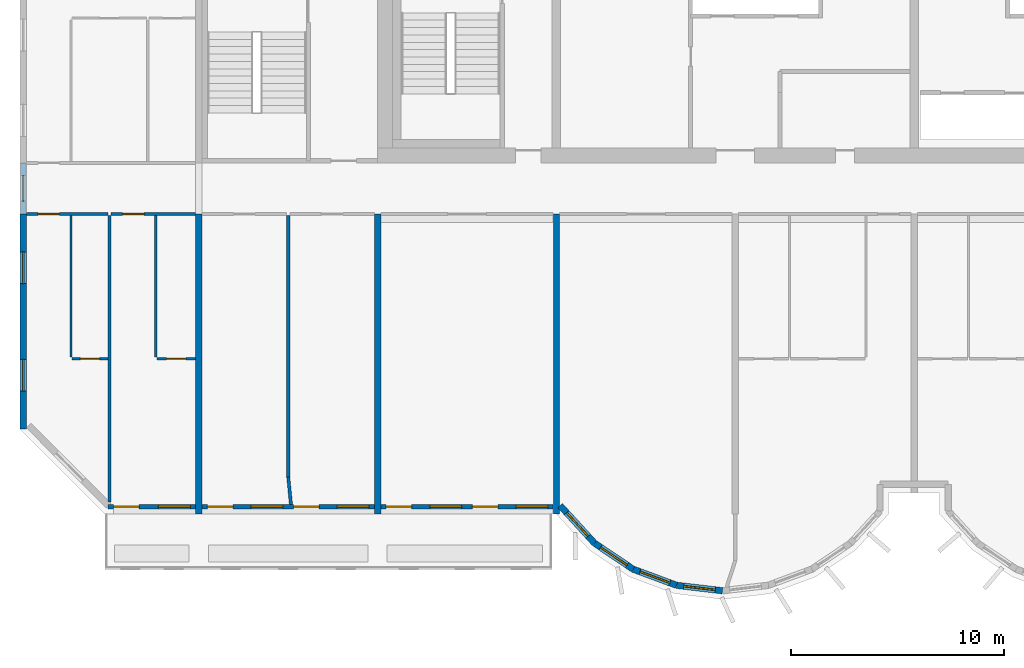
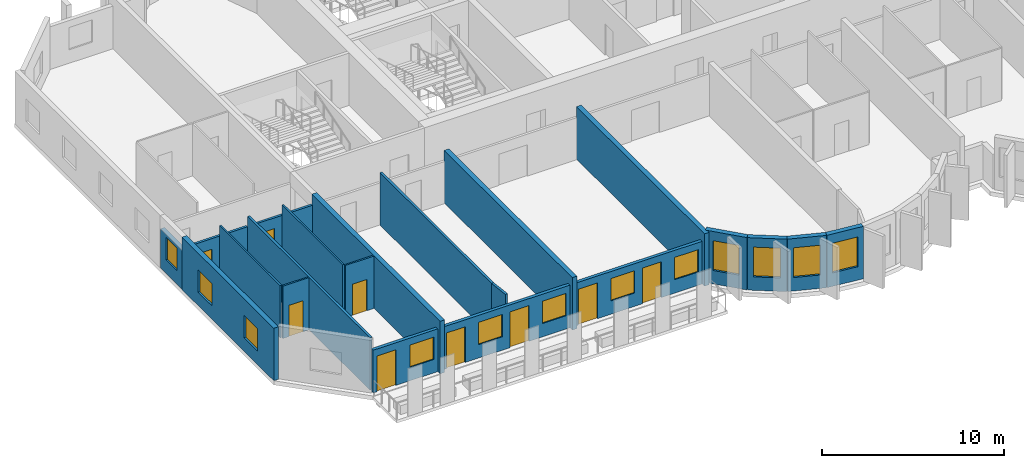
# One storey, part 2 of 13: 21 walls, 12 windows, 9 doors, 21 openings.
"""IFC4 building model written with IfcOpenShell, lengths in metres."""

from ifc_helpers import new_model, si_unit, direction, frame, frame_2d, origin, place, context, subcontext, project, spatial, rectangle, extrude, source, transform, mapped, material, layer, layer_set, type_object, element, fill, save


model = new_model("IFC4")

# Units and contexts
model_context = context("Model", 3, precision=1e-05, world=origin(), true_north=direction((0.0, 1.0)))
body_context = subcontext(model_context, "Body", "Model", "MODEL_VIEW")
ifc_project = project(units=[si_unit("LENGTHUNIT", "METRE"), si_unit("AREAUNIT", "SQUARE_METRE"), si_unit("VOLUMEUNIT", "CUBIC_METRE"), si_unit("PLANEANGLEUNIT", "RADIAN"), si_unit("MASSUNIT", "GRAM", prefix="KILO")], contexts=[model_context])

# Site, building, storey
site_placement = place(None, origin())
site = spatial("IfcSite", under=ifc_project, at=site_placement, CompositionType="ELEMENT")
building_placement = place(site_placement, origin())
building = spatial("IfcBuilding", under=site, at=building_placement, Name="Vanashikhar Sky Hotel", CompositionType="ELEMENT")
storey_placement = place(building_placement, frame((0.0, 0.0, 197.199951171875)))
storey = spatial("IfcBuildingStorey", under=building, at=storey_placement, Name="L48", CompositionType="ELEMENT", Elevation=197.199951171875)

# Wall, openings, windows
ifc_material_1 = material(Name="Concrete M60", Category="concrete")
ifc_layer_1 = layer(ifc_material_1, 0.300048828125)
ifc_layer_set_1 = layer_set([ifc_layer_1], Name="RC shear wall 300 Concrete M60")
wall_type_1 = type_object("IfcWallType", Name="RC shear wall 300 Concrete M60", PredefinedType="SHEAR", material=ifc_layer_set_1)
shared_shape_1 = source(origin(), body_context, "Body", "SweptSolid", [
    extrude(rectangle(XDim=10.10009765625, YDim=0.300048828125, at=frame_2d((5.050048828125, 0.0))), origin(), (0.0, 0.0, 1.0), 3.52001953125),
])
wall_1_placement = place(storey_placement, frame((8.550048828125, 9.5, 0.0), z_axis=(0.0, 0.0, 1.0), x_axis=(0.0, 1.0, 0.0)))
wall_1 = element("IfcWall", 1, at=wall_1_placement, inside=storey, type_object=wall_type_1, Name="CW-L48-XW02-1", PredefinedType="SHEAR", context=body_context, shape_type="MappedRepresentation", body=[
    mapped(shared_shape_1, transform((0.0, 0.0, 0.0), scale=1.0)),
])
shared_shape_2 = source(origin(), body_context, "Body", "SweptSolid", [
    extrude(rectangle(XDim=1.5, YDim=1.5, at=frame_2d((0.75, 0.75))), frame((0.0, 0.16015625, 0.0), z_axis=(0.0, -1.0, 0.0), x_axis=(1.0, 0.0, 0.0)), (0.0, 0.0, 1.0), 0.320068359375),
])
opening_1_placement = place(wall_1_placement, frame((1.77490234375, 0.0, 0.89990234375)))
opening_1 = element("IfcOpeningElement", 2, at=opening_1_placement, cuts=wall_1, Name="Opening WN-1", PredefinedType="OPENING", context=body_context, shape_type="MappedRepresentation", body=[
    mapped(shared_shape_2, transform((0.0, 0.0, 0.0), scale=1.0)),
])
opening_2_placement = place(wall_1_placement, frame((6.824951171875, 0.0, 0.89990234375)))
opening_2 = element("IfcOpeningElement", 3, at=opening_2_placement, cuts=wall_1, Name="Opening WN-1", PredefinedType="OPENING", context=body_context, shape_type="MappedRepresentation", body=[
    mapped(shared_shape_2, transform((0.0, 0.0, 0.0), scale=1.0)),
])
ifc_material_2 = material(Name="Glass", Category="glass")
window_type_1 = type_object("IfcWindowType", Name="Window 1500 x 1500", PartitioningType="SINGLE_PANEL", PredefinedType="WINDOW", material=ifc_material_2)
shared_shape_3 = source(origin(), body_context, "Body", "SweptSolid", [
    extrude(rectangle(XDim=1.5, YDim=1.5, at=frame_2d((0.75, 0.75))), frame((0.0, 0.030029296875, 0.0), z_axis=(0.0, -1.0, 0.0), x_axis=(1.0, 0.0, 0.0)), (0.0, 0.0, 1.0), 0.06005859375),
])
window_1_placement = place(opening_1_placement, origin())
window_1 = element("IfcWindow", 4, at=window_1_placement, inside=storey, type_object=window_type_1, Name="Window WN-1", OverallHeight=1.5, OverallWidth=1.5, PartitioningType="SINGLE_PANEL", PredefinedType="WINDOW", context=body_context, shape_type="MappedRepresentation", body=[
    mapped(shared_shape_3, transform((0.0, 0.0, 0.0), scale=1.0)),
])
fill(opening_1, window_1)
window_2_placement = place(opening_2_placement, origin())
window_2 = element("IfcWindow", 5, at=window_2_placement, inside=storey, type_object=window_type_1, Name="Window WN-1", OverallHeight=1.5, OverallWidth=1.5, PartitioningType="SINGLE_PANEL", PredefinedType="WINDOW", context=body_context, shape_type="MappedRepresentation", body=[
    mapped(shared_shape_3, transform((0.0, 0.0, 0.0), scale=1.0)),
])
fill(opening_2, window_2)

# Walls
shared_shape_4 = source(origin(), body_context, "Body", "SweptSolid", [
    extrude(rectangle(XDim=14.10009765625, YDim=0.300048828125, at=frame_2d((7.050048828125, 0.0))), origin(), (0.0, 0.0, 1.0), 3.52001953125),
])
for number, where, z_axis, x_axis, name in (
    (6, (16.800048828125, 5.5, 0.0), (0.0, 0.0, 1.0), (0.0, 1.0, 0.0), "CW-L48-XW03-1"),
    (7, (25.199951171875, 5.5, 0.0), (0.0, 0.0, 1.0), (0.0, 1.0, 0.0), "CW-L48-XW04-1"),
    (8, (33.60009765625, 5.5, 0.0), (0.0, 0.0, 1.0), (0.0, 1.0, 0.0), "CW-L48-XW05-1"),
):
    element("IfcWall", number, at=place(storey_placement, frame(where, z_axis=z_axis, x_axis=x_axis)), inside=storey, type_object=wall_type_1, Name=name, PredefinedType="SHEAR", context=body_context, shape_type="MappedRepresentation", body=[
        mapped(shared_shape_4, transform((0.0, 0.0, 0.0), scale=1.0)),
    ])

# Wall, opening, window
ifc_material_3 = material(Name="Concrete M50", Category="concrete")
ifc_layer_2 = layer(ifc_material_3, 0.300048828125)
ifc_layer_set_2 = layer_set([ifc_layer_2], Name="Lobe wall 300")
wall_type_2 = type_object("IfcWallType", Name="Lobe wall 300", PredefinedType="SOLIDWALL", material=ifc_layer_set_2)
shared_shape_5 = source(origin(), body_context, "Body", "SweptSolid", [
    extrude(rectangle(XDim=2.398193359375, YDim=0.300048828125, at=frame_2d((1.19921875, 0.0))), origin(), (0.0, 0.0, 1.0), 3.52001953125),
])
wall_2_placement = place(storey_placement, frame((33.776123046875, 5.89990234375, 0.0), z_axis=(0.0, 0.0, 1.0), x_axis=(0.675374189419, -0.737475222815, 0.0)))
wall_2 = element("IfcWall", 9, at=wall_2_placement, inside=storey, type_object=wall_type_2, Name="Lobe wall", PredefinedType="SOLIDWALL", context=body_context, shape_type="MappedRepresentation", body=[
    mapped(shared_shape_5, transform((0.0, 0.0, 0.0), scale=1.0)),
])
shared_shape_6 = source(origin(), body_context, "Body", "SweptSolid", [
    extrude(rectangle(XDim=1.5, YDim=2.0, at=frame_2d((0.75, 1.0))), frame((0.0, 0.16015625, 0.0), z_axis=(0.0, -1.0, 0.0), x_axis=(1.0, 0.0, 0.0)), (0.0, 0.0, 1.0), 0.320068359375),
])
opening_3_placement = place(wall_2_placement, frame((0.44921875, 0.0, 0.89990234375)))
opening_3 = element("IfcOpeningElement", 10, at=opening_3_placement, cuts=wall_2, Name="Opening WN-2", PredefinedType="OPENING", context=body_context, shape_type="MappedRepresentation", body=[
    mapped(shared_shape_6, transform((0.0, 0.0, 0.0), scale=1.0)),
])
window_type_2 = type_object("IfcWindowType", Name="Lobe window 1500 x 2000", PartitioningType="SINGLE_PANEL", PredefinedType="WINDOW", material=ifc_material_2)
shared_shape_7 = source(origin(), body_context, "Body", "SweptSolid", [
    extrude(rectangle(XDim=1.5, YDim=2.0, at=frame_2d((0.75, 1.0))), frame((0.0, 0.030029296875, 0.0), z_axis=(0.0, -1.0, 0.0), x_axis=(1.0, 0.0, 0.0)), (0.0, 0.0, 1.0), 0.06005859375),
])
window_3_placement = place(opening_3_placement, origin())
window_3 = element("IfcWindow", 11, at=window_3_placement, inside=storey, type_object=window_type_2, Name="Window WN-2", OverallHeight=2.0, OverallWidth=1.5, PartitioningType="SINGLE_PANEL", PredefinedType="WINDOW", context=body_context, shape_type="MappedRepresentation", body=[
    mapped(shared_shape_7, transform((0.0, 0.0, 0.0), scale=1.0)),
])
fill(opening_3, window_3)

shared_shape_8 = source(origin(), body_context, "Body", "SweptSolid", [
    extrude(rectangle(XDim=2.17578125, YDim=0.300048828125, at=frame_2d((1.087890625, 0.0))), origin(), (0.0, 0.0, 1.0), 3.52001953125),
])
wall_3_placement = place(storey_placement, frame((35.395751953125, 4.13134765625, 0.0), z_axis=(0.0, 0.0, 1.0), x_axis=(0.829590746428, -0.558371913192, 0.0)))
wall_3 = element("IfcWall", 12, at=wall_3_placement, inside=storey, type_object=wall_type_2, Name="Lobe wall", PredefinedType="SOLIDWALL", context=body_context, shape_type="MappedRepresentation", body=[
    mapped(shared_shape_8, transform((0.0, 0.0, 0.0), scale=1.0)),
])
opening_4_placement = place(wall_3_placement, frame((0.337890625, 0.0, 0.89990234375)))
opening_4 = element("IfcOpeningElement", 13, at=opening_4_placement, cuts=wall_3, Name="Opening WN-2", PredefinedType="OPENING", context=body_context, shape_type="MappedRepresentation", body=[
    mapped(shared_shape_6, transform((0.0, 0.0, 0.0), scale=1.0)),
])
window_4_placement = place(opening_4_placement, origin())
window_4 = element("IfcWindow", 14, at=window_4_placement, inside=storey, type_object=window_type_2, Name="Window WN-2", OverallHeight=2.0, OverallWidth=1.5, PartitioningType="SINGLE_PANEL", PredefinedType="WINDOW", context=body_context, shape_type="MappedRepresentation", body=[
    mapped(shared_shape_7, transform((0.0, 0.0, 0.0), scale=1.0)),
])
fill(opening_4, window_4)

wall_4_placement = place(storey_placement, frame((37.20068359375, 2.91650390625, 0.0), z_axis=(0.0, 0.0, 1.0), x_axis=(0.93754555999, -0.347862505801, 0.0)))
wall_4 = element("IfcWall", 15, at=wall_4_placement, inside=storey, type_object=wall_type_2, Name="Lobe wall", PredefinedType="SOLIDWALL", context=body_context, shape_type="MappedRepresentation", body=[
    mapped(shared_shape_8, transform((0.0, 0.0, 0.0), scale=1.0)),
])
opening_5_placement = place(wall_4_placement, frame((0.337890625, 0.0, 0.89990234375)))
opening_5 = element("IfcOpeningElement", 16, at=opening_5_placement, cuts=wall_4, Name="Opening WN-2", PredefinedType="OPENING", context=body_context, shape_type="MappedRepresentation", body=[
    mapped(shared_shape_6, transform((0.0, 0.0, 0.0), scale=1.0)),
])
window_5_placement = place(opening_5_placement, origin())
window_5 = element("IfcWindow", 17, at=window_5_placement, inside=storey, type_object=window_type_2, Name="Window WN-2", OverallHeight=2.0, OverallWidth=1.5, PartitioningType="SINGLE_PANEL", PredefinedType="WINDOW", context=body_context, shape_type="MappedRepresentation", body=[
    mapped(shared_shape_7, transform((0.0, 0.0, 0.0), scale=1.0)),
])
fill(opening_5, window_5)

shared_shape_9 = source(origin(), body_context, "Body", "SweptSolid", [
    extrude(rectangle(XDim=2.174560546875, YDim=0.300048828125, at=frame_2d((1.08740234375, 0.0))), origin(), (0.0, 0.0, 1.0), 3.52001953125),
])
wall_5_placement = place(storey_placement, frame((39.240478515625, 2.15966796875, 0.0), z_axis=(0.0, 0.0, 1.0), x_axis=(0.993001132889, -0.118104826659, 0.0)))
wall_5 = element("IfcWall", 18, at=wall_5_placement, inside=storey, type_object=wall_type_2, Name="Lobe wall", PredefinedType="SOLIDWALL", context=body_context, shape_type="MappedRepresentation", body=[
    mapped(shared_shape_9, transform((0.0, 0.0, 0.0), scale=1.0)),
])
opening_6_placement = place(wall_5_placement, frame((0.33740234375, 0.0, 0.89990234375)))
opening_6 = element("IfcOpeningElement", 19, at=opening_6_placement, cuts=wall_5, Name="Opening WN-2", PredefinedType="OPENING", context=body_context, shape_type="MappedRepresentation", body=[
    mapped(shared_shape_6, transform((0.0, 0.0, 0.0), scale=1.0)),
])
window_6_placement = place(opening_6_placement, origin())
window_6 = element("IfcWindow", 20, at=window_6_placement, inside=storey, type_object=window_type_2, Name="Window WN-2", OverallHeight=2.0, OverallWidth=1.5, PartitioningType="SINGLE_PANEL", PredefinedType="WINDOW", context=body_context, shape_type="MappedRepresentation", body=[
    mapped(shared_shape_7, transform((0.0, 0.0, 0.0), scale=1.0)),
])
fill(opening_6, window_6)

ifc_layer_3 = layer(ifc_material_3, 0.25)
ifc_layer_set_3 = layer_set([ifc_layer_3], Name="Rear and end board-marked wall 250")
wall_type_3 = type_object("IfcWallType", Name="Rear and end board-marked wall 250", PredefinedType="SOLIDWALL", material=ifc_layer_set_3)
shared_shape_10 = source(origin(), body_context, "Body", "SweptSolid", [
    extrude(rectangle(XDim=2.39990234375, YDim=0.25, at=frame_2d((1.199951171875, 0.0))), origin(), (0.0, 0.0, 1.0), 2.6201171875),
])
wall_6_placement = place(storey_placement, frame((8.550048828125, 19.60009765625, 0.0), z_axis=(0.0, 0.0, 1.0), x_axis=(0.0, 1.0, 0.0)))
wall_6 = element("IfcWall", 21, at=wall_6_placement, inside=storey, type_object=wall_type_3, Name="End corridor infill wall", PredefinedType="SOLIDWALL", context=body_context, shape_type="MappedRepresentation", body=[
    mapped(shared_shape_10, transform((0.0, 0.0, 0.0), scale=1.0)),
])
shared_shape_11 = source(origin(), body_context, "Body", "SweptSolid", [
    extrude(rectangle(XDim=1.199951171875, YDim=1.5, at=frame_2d((0.60009765625, 0.75))), frame((0.0, 0.135009765625, 0.0), z_axis=(0.0, -1.0, 0.0), x_axis=(1.0, 0.0, 0.0)), (0.0, 0.0, 1.0), 0.27001953125),
])
opening_7_placement = place(wall_6_placement, frame((0.60009765625, 0.0, 0.89990234375)))
opening_7 = element("IfcOpeningElement", 22, at=opening_7_placement, cuts=wall_6, Name="Opening WN-3", PredefinedType="OPENING", context=body_context, shape_type="MappedRepresentation", body=[
    mapped(shared_shape_11, transform((0.0, 0.0, 0.0), scale=1.0)),
])
window_type_3 = type_object("IfcWindowType", Name="Corridor end window 1200 x 1500", PartitioningType="SINGLE_PANEL", PredefinedType="WINDOW", material=ifc_material_2)
shared_shape_12 = source(origin(), body_context, "Body", "SweptSolid", [
    extrude(rectangle(XDim=1.199951171875, YDim=1.5, at=frame_2d((0.60009765625, 0.75))), frame((0.0, 0.030029296875, 0.0), z_axis=(0.0, -1.0, 0.0), x_axis=(1.0, 0.0, 0.0)), (0.0, 0.0, 1.0), 0.06005859375),
])
window_7_placement = place(opening_7_placement, origin())
window_7 = element("IfcWindow", 23, at=window_7_placement, inside=storey, type_object=window_type_3, Name="Window WN-3", OverallHeight=1.5, OverallWidth=1.199951171875, PartitioningType="SINGLE_PANEL", PredefinedType="WINDOW", context=body_context, shape_type="MappedRepresentation", body=[
    mapped(shared_shape_12, transform((0.0, 0.0, 0.0), scale=1.0)),
])
fill(opening_7, window_7)

# Wall, openings, window, door
ifc_layer_4 = layer(ifc_material_3, 0.199951171875)
ifc_layer_set_4 = layer_set([ifc_layer_4], Name="Front window wall 200")
wall_type_4 = type_object("IfcWallType", Name="Front window wall 200", PredefinedType="SOLIDWALL", material=ifc_layer_set_4)
shared_shape_13 = source(origin(), body_context, "Body", "SweptSolid", [
    extrude(rectangle(XDim=4.10498046875, YDim=0.199951171875, at=frame_2d((2.052490234375, 0.0))), origin(), (0.0, 0.0, 1.0), 2.8701171875),
])
wall_7_placement = place(storey_placement, frame((12.544921875, 5.85009765625, 0.0), z_axis=(0.0, 0.0, 1.0), x_axis=(1.0, 0.0, 0.0)))
wall_7 = element("IfcWall", 24, at=wall_7_placement, inside=storey, type_object=wall_type_4, Name="Front window wall", PredefinedType="SOLIDWALL", context=body_context, shape_type="MappedRepresentation", body=[
    mapped(shared_shape_13, transform((0.0, 0.0, 0.0), scale=1.0)),
])
shared_shape_14 = source(origin(), body_context, "Body", "SweptSolid", [
    extrude(rectangle(XDim=1.199951171875, YDim=2.39990234375, at=frame_2d((0.60009765625, 1.199951171875))), frame((0.0, 0.10986328125, 0.0), z_axis=(0.0, -1.0, 0.0), x_axis=(1.0, 0.0, 0.0)), (0.0, 0.0, 1.0), 0.219970703125),
])
opening_8_placement = place(wall_7_placement, frame((0.25, 0.0, 0.0)))
opening_8 = element("IfcOpeningElement", 25, at=opening_8_placement, cuts=wall_7, Name="Opening BD-01", PredefinedType="OPENING", context=body_context, shape_type="MappedRepresentation", body=[
    mapped(shared_shape_14, transform((0.0, 0.0, 0.0), scale=1.0)),
])
shared_shape_15 = source(origin(), body_context, "Body", "SweptSolid", [
    extrude(rectangle(XDim=1.5, YDim=1.5, at=frame_2d((0.75, 0.75))), frame((0.0, 0.10986328125, 0.0), z_axis=(0.0, -1.0, 0.0), x_axis=(1.0, 0.0, 0.0)), (0.0, 0.0, 1.0), 0.219970703125),
])
opening_9_placement = place(wall_7_placement, frame((2.35498046875, 0.0, 0.89990234375)))
opening_9 = element("IfcOpeningElement", 26, at=opening_9_placement, cuts=wall_7, Name="Opening WN-1", PredefinedType="OPENING", context=body_context, shape_type="MappedRepresentation", body=[
    mapped(shared_shape_15, transform((0.0, 0.0, 0.0), scale=1.0)),
])
window_8_placement = place(opening_9_placement, origin())
window_8 = element("IfcWindow", 27, at=window_8_placement, inside=storey, type_object=window_type_1, Name="Window WN-1", OverallHeight=1.5, OverallWidth=1.5, PartitioningType="SINGLE_PANEL", PredefinedType="WINDOW", context=body_context, shape_type="MappedRepresentation", body=[
    mapped(shared_shape_3, transform((0.0, 0.0, 0.0), scale=1.0)),
])
fill(opening_9, window_8)
ifc_material_4 = material(Name="Aluminium", Category="aluminium")
door_type_1 = type_object("IfcDoorType", Name="Balcony sliding door 1200 x 2400", OperationType="NOTDEFINED", PredefinedType="DOOR", material=ifc_material_4)
shared_shape_16 = source(origin(), body_context, "Body", "SweptSolid", [
    extrude(rectangle(XDim=1.199951171875, YDim=2.39990234375, at=frame_2d((0.60009765625, 1.199951171875))), frame((0.0, 0.02490234375, 0.0), z_axis=(0.0, -1.0, 0.0), x_axis=(1.0, 0.0, 0.0)), (0.0, 0.0, 1.0), 0.050048828125),
])
door_1_placement = place(opening_8_placement, origin())
door_1 = element("IfcDoor", 28, at=door_1_placement, inside=storey, type_object=door_type_1, Name="Balcony sliding door", OperationType="SLIDING_TO_LEFT", OverallHeight=2.39990234375, OverallWidth=1.199951171875, PredefinedType="DOOR", context=body_context, shape_type="MappedRepresentation", body=[
    mapped(shared_shape_16, transform((0.0, 0.0, 0.0), scale=1.0)),
])
fill(opening_8, door_1)

# Wall, openings, windows, doors
shared_shape_17 = source(origin(), body_context, "Body", "SweptSolid", [
    extrude(rectangle(XDim=8.10009765625, YDim=0.199951171875, at=frame_2d((4.050048828125, 0.0))), origin(), (0.0, 0.0, 1.0), 2.8701171875),
])
wall_8_placement = place(storey_placement, frame((16.949951171875, 5.85009765625, 0.0), z_axis=(0.0, 0.0, 1.0), x_axis=(1.0, 0.0, 0.0)))
wall_8 = element("IfcWall", 29, at=wall_8_placement, inside=storey, type_object=wall_type_4, Name="Front window wall", PredefinedType="SOLIDWALL", context=body_context, shape_type="MappedRepresentation", body=[
    mapped(shared_shape_17, transform((0.0, 0.0, 0.0), scale=1.0)),
])
opening_10_placement = place(wall_8_placement, frame((0.25, 0.0, 0.0)))
opening_10 = element("IfcOpeningElement", 30, at=opening_10_placement, cuts=wall_8, Name="Opening BD-02", PredefinedType="OPENING", context=body_context, shape_type="MappedRepresentation", body=[
    mapped(shared_shape_14, transform((0.0, 0.0, 0.0), scale=1.0)),
])
opening_11_placement = place(wall_8_placement, frame((2.300048828125, 0.0, 0.89990234375)))
opening_11 = element("IfcOpeningElement", 31, at=opening_11_placement, cuts=wall_8, Name="Opening WN-1", PredefinedType="OPENING", context=body_context, shape_type="MappedRepresentation", body=[
    mapped(shared_shape_15, transform((0.0, 0.0, 0.0), scale=1.0)),
])
opening_12_placement = place(wall_8_placement, frame((4.300048828125, 0.0, 0.0)))
opening_12 = element("IfcOpeningElement", 32, at=opening_12_placement, cuts=wall_8, Name="Opening BD-03", PredefinedType="OPENING", context=body_context, shape_type="MappedRepresentation", body=[
    mapped(shared_shape_14, transform((0.0, 0.0, 0.0), scale=1.0)),
])
opening_13_placement = place(wall_8_placement, frame((6.35009765625, 0.0, 0.89990234375)))
opening_13 = element("IfcOpeningElement", 33, at=opening_13_placement, cuts=wall_8, Name="Opening WN-1", PredefinedType="OPENING", context=body_context, shape_type="MappedRepresentation", body=[
    mapped(shared_shape_15, transform((0.0, 0.0, 0.0), scale=1.0)),
])
window_9_placement = place(opening_11_placement, origin())
window_9 = element("IfcWindow", 34, at=window_9_placement, inside=storey, type_object=window_type_1, Name="Window WN-1", OverallHeight=1.5, OverallWidth=1.5, PartitioningType="SINGLE_PANEL", PredefinedType="WINDOW", context=body_context, shape_type="MappedRepresentation", body=[
    mapped(shared_shape_3, transform((0.0, 0.0, 0.0), scale=1.0)),
])
fill(opening_11, window_9)
window_10_placement = place(opening_13_placement, origin())
window_10 = element("IfcWindow", 35, at=window_10_placement, inside=storey, type_object=window_type_1, Name="Window WN-1", OverallHeight=1.5, OverallWidth=1.5, PartitioningType="SINGLE_PANEL", PredefinedType="WINDOW", context=body_context, shape_type="MappedRepresentation", body=[
    mapped(shared_shape_3, transform((0.0, 0.0, 0.0), scale=1.0)),
])
fill(opening_13, window_10)
door_2_placement = place(opening_10_placement, origin())
door_2 = element("IfcDoor", 36, at=door_2_placement, inside=storey, type_object=door_type_1, Name="Balcony sliding door", OperationType="SLIDING_TO_RIGHT", OverallHeight=2.39990234375, OverallWidth=1.199951171875, PredefinedType="DOOR", context=body_context, shape_type="MappedRepresentation", body=[
    mapped(shared_shape_16, transform((0.0, 0.0, 0.0), scale=1.0)),
])
fill(opening_10, door_2)
door_3_placement = place(opening_12_placement, origin())
door_3 = element("IfcDoor", 37, at=door_3_placement, inside=storey, type_object=door_type_1, Name="Balcony sliding door", OperationType="SLIDING_TO_LEFT", OverallHeight=2.39990234375, OverallWidth=1.199951171875, PredefinedType="DOOR", context=body_context, shape_type="MappedRepresentation", body=[
    mapped(shared_shape_16, transform((0.0, 0.0, 0.0), scale=1.0)),
])
fill(opening_12, door_3)

shared_shape_18 = source(origin(), body_context, "Body", "SweptSolid", [
    extrude(rectangle(XDim=8.099853515625, YDim=0.199951171875, at=frame_2d((4.0498046875, 0.0))), origin(), (0.0, 0.0, 1.0), 2.8701171875),
])
wall_9_placement = place(storey_placement, frame((25.35009765625, 5.85009765625, 0.0), z_axis=(0.0, 0.0, 1.0), x_axis=(1.0, 0.0, 0.0)))
wall_9 = element("IfcWall", 38, at=wall_9_placement, inside=storey, type_object=wall_type_4, Name="Front window wall", PredefinedType="SOLIDWALL", context=body_context, shape_type="MappedRepresentation", body=[
    mapped(shared_shape_18, transform((0.0, 0.0, 0.0), scale=1.0)),
])
opening_14_placement = place(wall_9_placement, frame((0.25, 0.0, 0.0)))
opening_14 = element("IfcOpeningElement", 39, at=opening_14_placement, cuts=wall_9, Name="Opening BD-04", PredefinedType="OPENING", context=body_context, shape_type="MappedRepresentation", body=[
    mapped(shared_shape_14, transform((0.0, 0.0, 0.0), scale=1.0)),
])
opening_15_placement = place(wall_9_placement, frame((2.300048828125, 0.0, 0.89990234375)))
opening_15 = element("IfcOpeningElement", 40, at=opening_15_placement, cuts=wall_9, Name="Opening WN-1", PredefinedType="OPENING", context=body_context, shape_type="MappedRepresentation", body=[
    mapped(shared_shape_15, transform((0.0, 0.0, 0.0), scale=1.0)),
])
opening_16_placement = place(wall_9_placement, frame((4.300048828125, 0.0, 0.0)))
opening_16 = element("IfcOpeningElement", 41, at=opening_16_placement, cuts=wall_9, Name="Opening BD-05", PredefinedType="OPENING", context=body_context, shape_type="MappedRepresentation", body=[
    mapped(shared_shape_14, transform((0.0, 0.0, 0.0), scale=1.0)),
])
opening_17_placement = place(wall_9_placement, frame((6.35009765625, 0.0, 0.89990234375)))
opening_17 = element("IfcOpeningElement", 42, at=opening_17_placement, cuts=wall_9, Name="Opening WN-1", PredefinedType="OPENING", context=body_context, shape_type="MappedRepresentation", body=[
    mapped(shared_shape_15, transform((0.0, 0.0, 0.0), scale=1.0)),
])
window_11_placement = place(opening_15_placement, origin())
window_11 = element("IfcWindow", 43, at=window_11_placement, inside=storey, type_object=window_type_1, Name="Window WN-1", OverallHeight=1.5, OverallWidth=1.5, PartitioningType="SINGLE_PANEL", PredefinedType="WINDOW", context=body_context, shape_type="MappedRepresentation", body=[
    mapped(shared_shape_3, transform((0.0, 0.0, 0.0), scale=1.0)),
])
fill(opening_15, window_11)
window_12_placement = place(opening_17_placement, origin())
window_12 = element("IfcWindow", 44, at=window_12_placement, inside=storey, type_object=window_type_1, Name="Window WN-1", OverallHeight=1.5, OverallWidth=1.5, PartitioningType="SINGLE_PANEL", PredefinedType="WINDOW", context=body_context, shape_type="MappedRepresentation", body=[
    mapped(shared_shape_3, transform((0.0, 0.0, 0.0), scale=1.0)),
])
fill(opening_17, window_12)
door_4_placement = place(opening_14_placement, origin())
door_4 = element("IfcDoor", 45, at=door_4_placement, inside=storey, type_object=door_type_1, Name="Balcony sliding door", OperationType="SLIDING_TO_RIGHT", OverallHeight=2.39990234375, OverallWidth=1.199951171875, PredefinedType="DOOR", context=body_context, shape_type="MappedRepresentation", body=[
    mapped(shared_shape_16, transform((0.0, 0.0, 0.0), scale=1.0)),
])
fill(opening_14, door_4)
door_5_placement = place(opening_16_placement, origin())
door_5 = element("IfcDoor", 46, at=door_5_placement, inside=storey, type_object=door_type_1, Name="Balcony sliding door", OperationType="SLIDING_TO_LEFT", OverallHeight=2.39990234375, OverallWidth=1.199951171875, PredefinedType="DOOR", context=body_context, shape_type="MappedRepresentation", body=[
    mapped(shared_shape_16, transform((0.0, 0.0, 0.0), scale=1.0)),
])
fill(opening_16, door_5)

# Wall, opening, door
ifc_material_5 = material(Name="Gypsum plasterboard partition")
ifc_layer_5 = layer(ifc_material_5, 0.10009765625)
ifc_layer_set_5 = layer_set([ifc_layer_5], Name="Wet room partition 100")
wall_type_5 = type_object("IfcWallType", Name="Wet room partition 100", PredefinedType="PARTITIONING", material=ifc_layer_set_5)
shared_shape_19 = source(origin(), body_context, "Body", "SweptSolid", [
    extrude(rectangle(XDim=1.824951171875, YDim=0.10009765625, at=frame_2d((0.91259765625, 0.0))), origin(), (0.0, 0.0, 1.0), 3.52001953125),
])
wall_10_placement = place(storey_placement, frame((14.824951171875, 12.800048828125, 0.0), z_axis=(0.0, 0.0, 1.0), x_axis=(1.0, 0.0, 0.0)))
wall_10 = element("IfcWall", 47, at=wall_10_placement, inside=storey, type_object=wall_type_5, Name="W-L48-PW005", PredefinedType="PARTITIONING", context=body_context, shape_type="MappedRepresentation", body=[
    mapped(shared_shape_19, transform((0.0, 0.0, 0.0), scale=1.0)),
])
shared_shape_20 = source(origin(), body_context, "Body", "SweptSolid", [
    extrude(rectangle(XDim=0.89990234375, YDim=2.10009765625, at=frame_2d((0.449951171875, 1.050048828125))), frame((0.0, 0.06005859375, 0.0), z_axis=(0.0, -1.0, 0.0), x_axis=(1.0, 0.0, 0.0)), (0.0, 0.0, 1.0), 0.1201171875),
])
opening_18_placement = place(wall_10_placement, frame((0.462890625, 0.0, 0.0)))
opening_18 = element("IfcOpeningElement", 48, at=opening_18_placement, cuts=wall_10, Name="Opening D-02", PredefinedType="OPENING", context=body_context, shape_type="MappedRepresentation", body=[
    mapped(shared_shape_20, transform((0.0, 0.0, 0.0), scale=1.0)),
])
ifc_material_6 = material(Name="Timber door", Category="wood")
door_type_2 = type_object("IfcDoorType", Name="Internal door 900", OperationType="NOTDEFINED", PredefinedType="DOOR", material=ifc_material_6)
shared_shape_21 = source(origin(), body_context, "Body", "SweptSolid", [
    extrude(rectangle(XDim=0.89990234375, YDim=2.10009765625, at=frame_2d((0.449951171875, 1.050048828125))), frame((0.0, 0.02490234375, 0.0), z_axis=(0.0, -1.0, 0.0), x_axis=(1.0, 0.0, 0.0)), (0.0, 0.0, 1.0), 0.050048828125),
])
door_6_placement = place(opening_18_placement, origin())
door_6 = element("IfcDoor", 49, at=door_6_placement, inside=storey, type_object=door_type_2, Name="D-L48-003", OperationType="SINGLE_SWING_LEFT", OverallHeight=2.10009765625, OverallWidth=0.89990234375, PredefinedType="DOOR", context=body_context, shape_type="MappedRepresentation", body=[
    mapped(shared_shape_21, transform((0.0, 0.0, 0.0), scale=1.0)),
])
fill(opening_18, door_6)

# Walls
shared_shape_22 = source(origin(), body_context, "Body", "SweptSolid", [
    extrude(rectangle(XDim=6.64990234375, YDim=0.10009765625, at=frame_2d((3.324951171875, 0.0))), origin(), (0.0, 0.0, 1.0), 3.52001953125),
])
for number, where, z_axis, x_axis, name in (
    (50, (10.800048828125, 12.875, 0.0), (0.0, 0.0, 1.0), (0.0, 1.0, 0.0), "W-L48-PW001"),
    (51, (14.77490234375, 12.875, 0.0), (0.0, 0.0, 1.0), (0.0, 1.0, 0.0), "W-L48-PW004"),
):
    element("IfcWall", number, at=place(storey_placement, frame(where, z_axis=z_axis, x_axis=x_axis)), inside=storey, type_object=wall_type_5, Name=name, PredefinedType="PARTITIONING", context=body_context, shape_type="MappedRepresentation", body=[
        mapped(shared_shape_22, transform((0.0, 0.0, 0.0), scale=1.0)),
    ])
ifc_layer_6 = layer(ifc_material_5, 0.14990234375)
ifc_layer_set_6 = layer_set([ifc_layer_6], Name="Corridor and demising partition 150")
wall_type_6 = type_object("IfcWallType", Name="Corridor and demising partition 150", PredefinedType="PARTITIONING", material=ifc_layer_set_6)
shared_shape_23 = source(origin(), body_context, "Body", "SweptSolid", [
    extrude(rectangle(XDim=13.447021484375, YDim=0.14990234375, at=frame_2d((6.7236328125, 0.0))), origin(), (0.0, 0.0, 1.0), 3.52001953125),
])
wall_11_placement = place(storey_placement, frame((12.60009765625, 6.077880859375, 0.0), z_axis=(0.0, 0.0, 1.0), x_axis=(0.0, 1.0, 0.0)))
element("IfcWall", 52, at=wall_11_placement, inside=storey, type_object=wall_type_6, Name="W-L48-PW007", PredefinedType="PARTITIONING", context=body_context, shape_type="MappedRepresentation", body=[
    mapped(shared_shape_23, transform((0.0, 0.0, 0.0), scale=1.0)),
])
shared_shape_24 = source(origin(), body_context, "Body", "SweptSolid", [
    extrude(rectangle(XDim=12.27490234375, YDim=0.14990234375, at=frame_2d((6.137451171875, 0.0))), origin(), (0.0, 0.0, 1.0), 3.52001953125),
])
wall_12_placement = place(storey_placement, frame((21.0, 7.25, 0.0), z_axis=(0.0, 0.0, 1.0), x_axis=(0.0, 1.0, 0.0)))
element("IfcWall", 53, at=wall_12_placement, inside=storey, type_object=wall_type_6, Name="W-L48-PW010", PredefinedType="PARTITIONING", context=body_context, shape_type="MappedRepresentation", body=[
    mapped(shared_shape_24, transform((0.0, 0.0, 0.0), scale=1.0)),
])
shared_shape_25 = source(origin(), body_context, "Body", "SweptSolid", [
    extrude(rectangle(XDim=1.306640625, YDim=0.14990234375, at=frame_2d((0.6533203125, 0.0))), origin(), (0.0, 0.0, 1.0), 3.52001953125),
])
wall_13_placement = place(storey_placement, frame((21.1298828125, 5.949951171875, 0.0), z_axis=(0.0, 0.0, 1.0), x_axis=(-0.099411212066, 0.995046436562, 0.0)))
element("IfcWall", 54, at=wall_13_placement, inside=storey, type_object=wall_type_6, Name="W-L48-PW010B0", PredefinedType="PARTITIONING", context=body_context, shape_type="MappedRepresentation", body=[
    mapped(shared_shape_25, transform((0.0, 0.0, 0.0), scale=1.0)),
])

# Wall, opening, door
shared_shape_26 = source(origin(), body_context, "Body", "SweptSolid", [
    extrude(rectangle(XDim=3.974853515625, YDim=0.14990234375, at=frame_2d((1.9873046875, 0.0))), origin(), (0.0, 0.0, 1.0), 2.820068359375),
])
wall_14_placement = place(storey_placement, frame((12.675048828125, 19.60009765625, 0.0), z_axis=(0.0, 0.0, 1.0), x_axis=(1.0, 0.0, 0.0)))
wall_14 = element("IfcWall", 55, at=wall_14_placement, inside=storey, type_object=wall_type_6, Name="W-L48-PW006", PredefinedType="PARTITIONING", context=body_context, shape_type="MappedRepresentation", body=[
    mapped(shared_shape_26, transform((0.0, 0.0, 0.0), scale=1.0)),
])
shared_shape_27 = source(origin(), body_context, "Body", "SweptSolid", [
    extrude(rectangle(XDim=1.0, YDim=2.10009765625, at=frame_2d((0.5, 1.050048828125))), frame((0.0, 0.0849609375, 0.0), z_axis=(0.0, -1.0, 0.0), x_axis=(1.0, 0.0, 0.0)), (0.0, 0.0, 1.0), 0.169921875),
])
opening_19_placement = place(wall_14_placement, frame((0.550048828125, 0.0, 0.0)))
opening_19 = element("IfcOpeningElement", 56, at=opening_19_placement, cuts=wall_14, Name="Opening D-01", PredefinedType="OPENING", context=body_context, shape_type="MappedRepresentation", body=[
    mapped(shared_shape_27, transform((0.0, 0.0, 0.0), scale=1.0)),
])
ifc_material_7 = material(Name="Timber fire door", Category="wood")
door_type_3 = type_object("IfcDoorType", Name="Guest entry door 1000 FD30S", OperationType="NOTDEFINED", PredefinedType="DOOR", material=ifc_material_7)
shared_shape_28 = source(origin(), body_context, "Body", "SweptSolid", [
    extrude(rectangle(XDim=1.0, YDim=2.10009765625, at=frame_2d((0.5, 1.050048828125))), frame((0.0, 0.02490234375, 0.0), z_axis=(0.0, -1.0, 0.0), x_axis=(1.0, 0.0, 0.0)), (0.0, 0.0, 1.0), 0.050048828125),
])
door_7_placement = place(opening_19_placement, origin())
door_7 = element("IfcDoor", 57, at=door_7_placement, inside=storey, type_object=door_type_3, Name="D-L48-004", OperationType="SINGLE_SWING_LEFT", OverallHeight=2.10009765625, OverallWidth=1.0, PredefinedType="DOOR", context=body_context, shape_type="MappedRepresentation", body=[
    mapped(shared_shape_28, transform((0.0, 0.0, 0.0), scale=1.0)),
])
fill(opening_19, door_7)

shared_shape_29 = source(origin(), body_context, "Body", "SweptSolid", [
    extrude(rectangle(XDim=3.824951171875, YDim=0.14990234375, at=frame_2d((1.91259765625, 0.0))), origin(), (0.0, 0.0, 1.0), 2.820068359375),
])
wall_15_placement = place(storey_placement, frame((8.699951171875, 19.60009765625, 0.0), z_axis=(0.0, 0.0, 1.0), x_axis=(1.0, 0.0, 0.0)))
wall_15 = element("IfcWall", 58, at=wall_15_placement, inside=storey, type_object=wall_type_6, Name="W-L48-PW003", PredefinedType="PARTITIONING", context=body_context, shape_type="MappedRepresentation", body=[
    mapped(shared_shape_29, transform((0.0, 0.0, 0.0), scale=1.0)),
])
opening_20_placement = place(wall_15_placement, frame((0.550048828125, 0.0, 0.0)))
opening_20 = element("IfcOpeningElement", 59, at=opening_20_placement, cuts=wall_15, Name="Opening D-01", PredefinedType="OPENING", context=body_context, shape_type="MappedRepresentation", body=[
    mapped(shared_shape_27, transform((0.0, 0.0, 0.0), scale=1.0)),
])
door_8_placement = place(opening_20_placement, origin())
door_8 = element("IfcDoor", 60, at=door_8_placement, inside=storey, type_object=door_type_3, Name="D-L48-002", OperationType="SINGLE_SWING_LEFT", OverallHeight=2.10009765625, OverallWidth=1.0, PredefinedType="DOOR", context=body_context, shape_type="MappedRepresentation", body=[
    mapped(shared_shape_28, transform((0.0, 0.0, 0.0), scale=1.0)),
])
fill(opening_20, door_8)

shared_shape_30 = source(origin(), body_context, "Body", "SweptSolid", [
    extrude(rectangle(XDim=1.6748046875, YDim=0.10009765625, at=frame_2d((0.83740234375, 0.0))), origin(), (0.0, 0.0, 1.0), 3.52001953125),
])
wall_16_placement = place(storey_placement, frame((10.85009765625, 12.800048828125, 0.0), z_axis=(0.0, 0.0, 1.0), x_axis=(1.0, 0.0, 0.0)))
wall_16 = element("IfcWall", 61, at=wall_16_placement, inside=storey, type_object=wall_type_5, Name="W-L48-PW002", PredefinedType="PARTITIONING", context=body_context, shape_type="MappedRepresentation", body=[
    mapped(shared_shape_30, transform((0.0, 0.0, 0.0), scale=1.0)),
])
opening_21_placement = place(wall_16_placement, frame((0.387939453125, 0.0, 0.0)))
opening_21 = element("IfcOpeningElement", 62, at=opening_21_placement, cuts=wall_16, Name="Opening D-02", PredefinedType="OPENING", context=body_context, shape_type="MappedRepresentation", body=[
    mapped(shared_shape_20, transform((0.0, 0.0, 0.0), scale=1.0)),
])
door_9_placement = place(opening_21_placement, origin())
door_9 = element("IfcDoor", 63, at=door_9_placement, inside=storey, type_object=door_type_2, Name="D-L48-001", OperationType="SINGLE_SWING_LEFT", OverallHeight=2.10009765625, OverallWidth=0.89990234375, PredefinedType="DOOR", context=body_context, shape_type="MappedRepresentation", body=[
    mapped(shared_shape_21, transform((0.0, 0.0, 0.0), scale=1.0)),
])
fill(opening_21, door_9)

save(model, "model.ifc")
